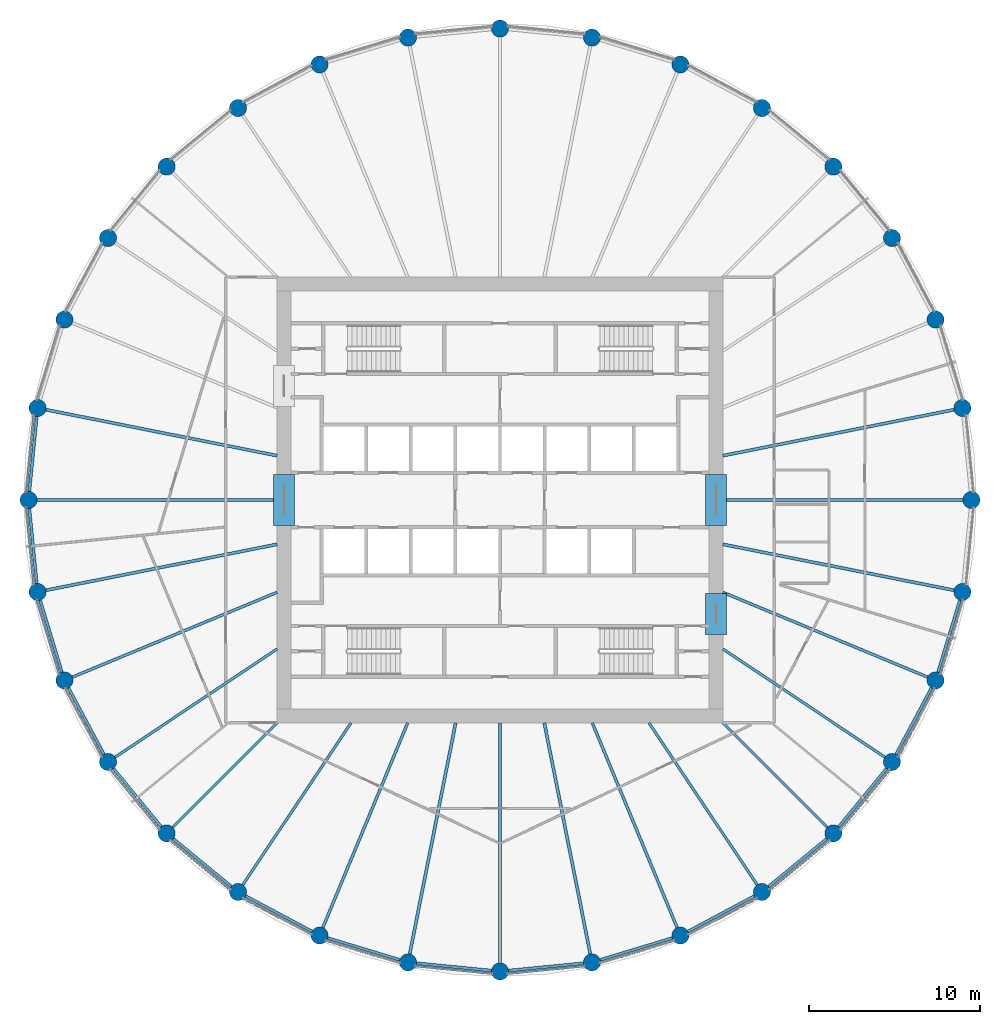
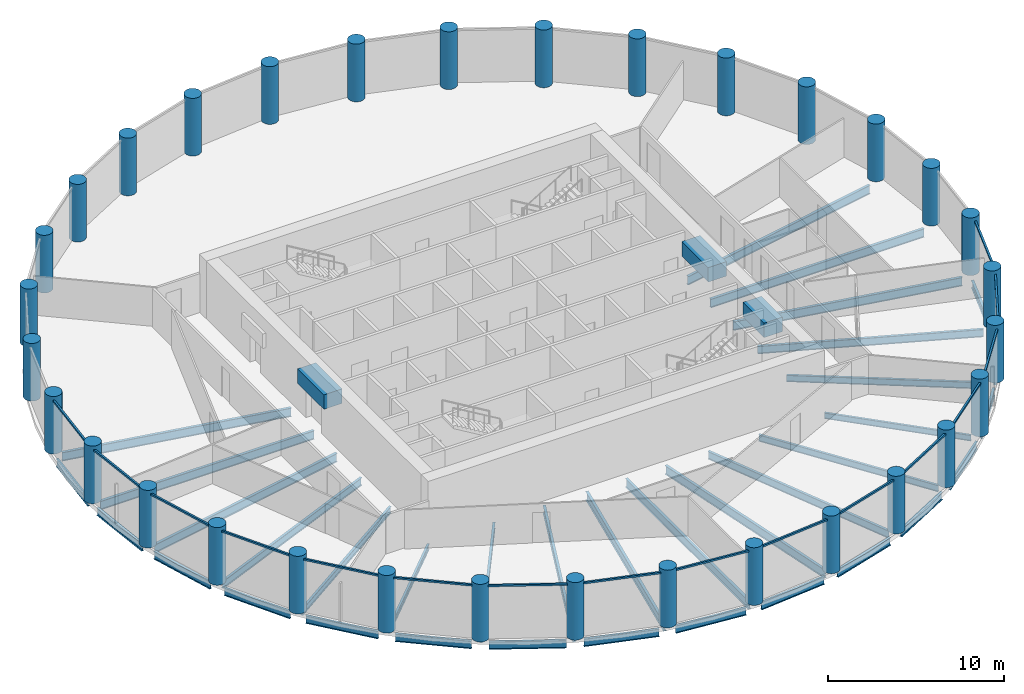
# One storey, part 1 of 8: 38 beams, 32 columns, 16 members, 16 elements without a shape of their own.
"""IFC4 building model written with IfcOpenShell, lengths in metres."""

from ifc_helpers import new_model, si_unit, direction, frame, origin, origin_2d, place, context, subcontext, project, spatial, rectangle, circle, i_section, extrude, material, material_profile, profile_set, type_object, element, aggregate, save


model = new_model("IFC4")

# Units and contexts
model_context = context("Model", 3, precision=1e-05, world=origin(), true_north=direction((0.0, 1.0)))
body_context = subcontext(model_context, "Body", "Model", "MODEL_VIEW")
ifc_project = project(units=[si_unit("LENGTHUNIT", "METRE"), si_unit("AREAUNIT", "SQUARE_METRE"), si_unit("VOLUMEUNIT", "CUBIC_METRE"), si_unit("PLANEANGLEUNIT", "RADIAN"), si_unit("MASSUNIT", "GRAM", prefix="KILO")], contexts=[model_context])

# Site, building, storey
site_placement = place(None, origin())
site = spatial("IfcSite", under=ifc_project, at=site_placement, CompositionType="ELEMENT")
building_placement = place(site_placement, origin())
building = spatial("IfcBuilding", under=site, at=building_placement, Name="Corvane Civic Tower", CompositionType="ELEMENT")
storey_placement = place(building_placement, frame((0.0, 0.0, 245.5)))
storey = spatial("IfcBuildingStorey", under=building, at=storey_placement, Name="L58", CompositionType="ELEMENT", Elevation=245.5)

# Columns
ifc_material_1 = material(Name="Concrete C60/75", Category="concrete")
ifc_material_profile_1 = material_profile(ifc_material_1, circle(Radius=0.5, at=origin_2d()), Name="COLUMN 1000")
ifc_profile_set_1 = profile_set([ifc_material_profile_1], Name="Concrete C60/75")
column_type = type_object("IfcColumnType", Name="RC COLUMN COLUMN 1000", PredefinedType="COLUMN", material=ifc_profile_set_1)
for number, where, z_axis, x_axis, name in (
    (1, (0.0, 27.5, 0.0), (0.0, 0.0, 1.0), (1.0, 0.0, 0.0), "COL-L58-D01"),
    (2, (5.364990234375, 26.9716796875, 0.0), (0.0, 0.0, 1.0), (1.0, 0.0, 0.0), "COL-L58-D02"),
    (3, (10.523681640625, 25.40673828125, 0.0), (0.0, 0.0, 1.0), (1.0, 0.0, 0.0), "COL-L58-D03"),
    (4, (15.278076171875, 22.865478515625, 0.0), (0.0, 0.0, 1.0), (1.0, 0.0, 0.0), "COL-L58-D04"),
    (5, (19.445556640625, 19.445556640625, 0.0), (0.0, 0.0, 1.0), (1.0, 0.0, 0.0), "COL-L58-D05"),
    (6, (22.865478515625, 15.278076171875, 0.0), (0.0, 0.0, 1.0), (1.0, 0.0, 0.0), "COL-L58-D06"),
    (7, (25.40673828125, 10.523681640625, 0.0), (0.0, 0.0, 1.0), (1.0, 0.0, 0.0), "COL-L58-D07"),
    (8, (26.9716796875, 5.364990234375, 0.0), (0.0, 0.0, 1.0), (1.0, 0.0, 0.0), "COL-L58-D08"),
    (9, (27.5, 0.0, 0.0), (0.0, 0.0, 1.0), (1.0, 0.0, 0.0), "COL-L58-D09"),
    (10, (26.9716796875, -5.364990234375, 0.0), (0.0, 0.0, 1.0), (1.0, 0.0, 0.0), "COL-L58-D10"),
    (11, (25.40673828125, -10.523681640625, 0.0), (0.0, 0.0, 1.0), (1.0, 0.0, 0.0), "COL-L58-D11"),
    (12, (22.865478515625, -15.278076171875, 0.0), (0.0, 0.0, 1.0), (1.0, 0.0, 0.0), "COL-L58-D12"),
    (13, (19.445556640625, -19.445556640625, 0.0), (0.0, 0.0, 1.0), (1.0, 0.0, 0.0), "COL-L58-D13"),
    (14, (15.278076171875, -22.865478515625, 0.0), (0.0, 0.0, 1.0), (1.0, 0.0, 0.0), "COL-L58-D14"),
    (15, (10.523681640625, -25.40673828125, 0.0), (0.0, 0.0, 1.0), (1.0, 0.0, 0.0), "COL-L58-D15"),
    (16, (5.364990234375, -26.9716796875, 0.0), (0.0, 0.0, 1.0), (1.0, 0.0, 0.0), "COL-L58-D16"),
    (17, (0.0, -27.5, 0.0), (0.0, 0.0, 1.0), (1.0, 0.0, 0.0), "COL-L58-D17"),
    (18, (-5.364990234375, -26.9716796875, 0.0), (0.0, 0.0, 1.0), (1.0, 0.0, 0.0), "COL-L58-D18"),
    (19, (-10.523681640625, -25.40673828125, 0.0), (0.0, 0.0, 1.0), (1.0, 0.0, 0.0), "COL-L58-D19"),
    (20, (-15.278076171875, -22.865478515625, 0.0), (0.0, 0.0, 1.0), (1.0, 0.0, 0.0), "COL-L58-D20"),
    (21, (-19.445556640625, -19.445556640625, 0.0), (0.0, 0.0, 1.0), (1.0, 0.0, 0.0), "COL-L58-D21"),
    (22, (-22.865478515625, -15.278076171875, 0.0), (0.0, 0.0, 1.0), (1.0, 0.0, 0.0), "COL-L58-D22"),
    (23, (-25.40673828125, -10.523681640625, 0.0), (0.0, 0.0, 1.0), (1.0, 0.0, 0.0), "COL-L58-D23"),
    (24, (-26.9716796875, -5.364990234375, 0.0), (0.0, 0.0, 1.0), (1.0, 0.0, 0.0), "COL-L58-D24"),
    (25, (-27.5, 0.0, 0.0), (0.0, 0.0, 1.0), (1.0, 0.0, 0.0), "COL-L58-D25"),
    (26, (-26.9716796875, 5.364990234375, 0.0), (0.0, 0.0, 1.0), (1.0, 0.0, 0.0), "COL-L58-D26"),
    (27, (-25.40673828125, 10.523681640625, 0.0), (0.0, 0.0, 1.0), (1.0, 0.0, 0.0), "COL-L58-D27"),
    (28, (-22.865478515625, 15.278076171875, 0.0), (0.0, 0.0, 1.0), (1.0, 0.0, 0.0), "COL-L58-D28"),
    (29, (-19.445556640625, 19.445556640625, 0.0), (0.0, 0.0, 1.0), (1.0, 0.0, 0.0), "COL-L58-D29"),
    (30, (-15.278076171875, 22.865478515625, 0.0), (0.0, 0.0, 1.0), (1.0, 0.0, 0.0), "COL-L58-D30"),
    (31, (-10.523681640625, 25.40673828125, 0.0), (0.0, 0.0, 1.0), (1.0, 0.0, 0.0), "COL-L58-D31"),
    (32, (-5.364990234375, 26.9716796875, 0.0), (0.0, 0.0, 1.0), (1.0, 0.0, 0.0), "COL-L58-D32"),
):
    element("IfcColumn", number, at=place(storey_placement, frame(where, z_axis=z_axis, x_axis=x_axis)), inside=storey, type_object=column_type, Name=name, PredefinedType="COLUMN", context=body_context, shape_type="SweptSolid", body=[
        extrude(circle(Radius=0.5, at=origin_2d()), origin(), (0.0, 0.0, 1.0), 4.0),
    ])

# Beams
ifc_material_2 = material(Name="Concrete C50/60", Category="concrete")
ifc_material_profile_2 = material_profile(ifc_material_2, rectangle(XDim=1.199951171875, YDim=1.0, at=origin_2d()), Name="COUPLING BEAM 1200X1000")
ifc_profile_set_2 = profile_set([ifc_material_profile_2], Name="Concrete C50/60")
beam_type_1 = type_object("IfcBeamType", Name="COUPLING BEAM COUPLING BEAM 1200X1000", PredefinedType="BEAM", material=ifc_profile_set_2)
for number, where, z_axis, x_axis, name in (
    (33, (-12.60009765625, -1.5, 2.60009765625), (0.0, 1.0, 0.0), (-1.0, 0.0, 0.0), "BM-L58-cpl-CW-LW"),
    (34, (12.60009765625, -1.5, 2.60009765625), (0.0, 1.0, 0.0), (-1.0, 0.0, 0.0), "BM-L58-cpl-CW-LE"),
):
    element("IfcBeam", number, at=place(storey_placement, frame(where, z_axis=z_axis, x_axis=x_axis)), inside=storey, type_object=beam_type_1, Name=name, PredefinedType="BEAM", context=body_context, shape_type="SweptSolid", body=[
        extrude(rectangle(XDim=1.199951171875, YDim=1.0, at=origin_2d()), origin(), (0.0, 0.0, 1.0), 3.0),
    ])
beam_1_placement = place(storey_placement, frame((12.60009765625, -7.85009765625, 2.60009765625), z_axis=(0.0, 1.0, 0.0), x_axis=(-1.0, 0.0, 0.0)))
element("IfcBeam", 35, at=beam_1_placement, inside=storey, type_object=beam_type_1, Name="BM-L58-cpl-CW-ES", PredefinedType="BEAM", context=body_context, shape_type="SweptSolid", body=[
    extrude(rectangle(XDim=1.199951171875, YDim=1.0, at=origin_2d()), origin(), (0.0, 0.0, 1.0), 2.400146484375),
])
ifc_material_3 = material(Name="Steel ASTM A992 Gr 50", Category="steel")
ifc_material_profile_3 = material_profile(ifc_material_3, i_section(OverallWidth=0.165771484375, OverallDepth=0.5283203125, WebThickness=0.009765625, FlangeThickness=0.013671875, at=origin_2d()), Name="W21X50")
ifc_profile_set_3 = profile_set([ifc_material_profile_3], Name="Steel ASTM A992 Gr 50")
beam_type_2 = type_object("IfcBeamType", Name="EDGE BEAM W21X50", PredefinedType="BEAM", material=ifc_profile_set_3)
beam_2_placement = place(storey_placement, frame((26.826416015625, -5.843505859375, -0.564208984375), z_axis=(-0.290254307888, -0.956949547653, 0.0), x_axis=(0.956949547653, -0.290254307888, 0.0)))
element("IfcBeam", 36, at=beam_2_placement, inside=storey, type_object=beam_type_2, Name="BM-L58-E10", PredefinedType="BEAM", context=body_context, shape_type="SweptSolid", body=[
    extrude(i_section(OverallWidth=0.165771484375, OverallDepth=0.5283203125, WebThickness=0.009765625, FlangeThickness=0.013671875, at=origin_2d()), origin(), (0.0, 0.0, 1.0), 4.390625),
])
for number, where, z_axis, x_axis, name in (
    (37, (25.171142578125, -10.964599609375, -0.564208984375), (-0.471422006704, -0.881907756852, 0.0), (0.881907756852, -0.471422006704, 0.0), "BM-L58-E11"),
    (38, (22.54833984375, -15.66455078125, -0.564208984375), (-0.634369433447, -0.773030026524, 0.0), (0.773030026524, -0.634369433447, 0.0), "BM-L58-E12"),
    (39, (19.05908203125, -19.7626953125, -0.564208984375), (-0.773030026524, -0.634369433447, 0.0), (0.634369433447, -0.773030026524, 0.0), "BM-L58-E13"),
    (40, (14.837158203125, -23.10107421875, -0.564208984375), (-0.881907756852, -0.471422006704, 0.0), (0.471422006704, -0.881907756852, 0.0), "BM-L58-E14"),
):
    element("IfcBeam", number, at=place(storey_placement, frame(where, z_axis=z_axis, x_axis=x_axis)), inside=storey, type_object=beam_type_2, Name=name, PredefinedType="BEAM", context=body_context, shape_type="SweptSolid", body=[
        extrude(i_section(OverallWidth=0.165771484375, OverallDepth=0.5283203125, WebThickness=0.009765625, FlangeThickness=0.013671875, at=origin_2d()), origin(), (0.0, 0.0, 1.0), 4.39111328125),
    ])
beam_3_placement = place(storey_placement, frame((10.045166015625, -25.552001953125, -0.564208984375), z_axis=(-0.956949547653, -0.290254307888, 0.0), x_axis=(0.290254307888, -0.956949547653, 0.0)))
element("IfcBeam", 41, at=beam_3_placement, inside=storey, type_object=beam_type_2, Name="BM-L58-E15", PredefinedType="BEAM", context=body_context, shape_type="SweptSolid", body=[
    extrude(i_section(OverallWidth=0.165771484375, OverallDepth=0.5283203125, WebThickness=0.009765625, FlangeThickness=0.013671875, at=origin_2d()), origin(), (0.0, 0.0, 1.0), 4.390625),
])
for number, where, z_axis, x_axis, name in (
    (42, (4.867431640625, -27.020751953125, -0.564208984375), (-0.995189593769, -0.097967711281, 0.0), (0.097967711281, -0.995189593769, 0.0), "BM-L58-E16"),
    (43, (-0.49755859375, -27.450927734375, -0.564208984375), (-0.995189593769, 0.097967711281, 0.0), (-0.097967711281, -0.995189593769, 0.0), "BM-L58-E17"),
):
    element("IfcBeam", number, at=place(storey_placement, frame(where, z_axis=z_axis, x_axis=x_axis)), inside=storey, type_object=beam_type_2, Name=name, PredefinedType="BEAM", context=body_context, shape_type="SweptSolid", body=[
        extrude(i_section(OverallWidth=0.165771484375, OverallDepth=0.5283203125, WebThickness=0.009765625, FlangeThickness=0.013671875, at=origin_2d()), origin(), (0.0, 0.0, 1.0), 4.39111328125),
    ])
beam_4_placement = place(storey_placement, frame((-5.843505859375, -26.826416015625, -0.564208984375), z_axis=(-0.956949547653, 0.290254307888, 0.0), x_axis=(-0.290254307888, -0.956949547653, 0.0)))
element("IfcBeam", 44, at=beam_4_placement, inside=storey, type_object=beam_type_2, Name="BM-L58-E18", PredefinedType="BEAM", context=body_context, shape_type="SweptSolid", body=[
    extrude(i_section(OverallWidth=0.165771484375, OverallDepth=0.5283203125, WebThickness=0.009765625, FlangeThickness=0.013671875, at=origin_2d()), origin(), (0.0, 0.0, 1.0), 4.390625),
])
for number, where, z_axis, x_axis, name in (
    (45, (-10.964599609375, -25.171142578125, -0.564208984375), (-0.881907756852, 0.471422006704, 0.0), (-0.471422006704, -0.881907756852, 0.0), "BM-L58-E19"),
    (46, (-15.66455078125, -22.54833984375, -0.564208984375), (-0.773030026524, 0.634369433447, 0.0), (-0.634369433447, -0.773030026524, 0.0), "BM-L58-E20"),
    (47, (-19.7626953125, -19.05908203125, -0.564208984375), (-0.634369433447, 0.773030026524, 0.0), (-0.773030026524, -0.634369433447, 0.0), "BM-L58-E21"),
    (48, (-23.10107421875, -14.837158203125, -0.564208984375), (-0.471422006704, 0.881907756852, 0.0), (-0.881907756852, -0.471422006704, 0.0), "BM-L58-E22"),
):
    element("IfcBeam", number, at=place(storey_placement, frame(where, z_axis=z_axis, x_axis=x_axis)), inside=storey, type_object=beam_type_2, Name=name, PredefinedType="BEAM", context=body_context, shape_type="SweptSolid", body=[
        extrude(i_section(OverallWidth=0.165771484375, OverallDepth=0.5283203125, WebThickness=0.009765625, FlangeThickness=0.013671875, at=origin_2d()), origin(), (0.0, 0.0, 1.0), 4.39111328125),
    ])
beam_5_placement = place(storey_placement, frame((-25.552001953125, -10.045166015625, -0.564208984375), z_axis=(-0.290254307888, 0.956949547653, 0.0), x_axis=(-0.956949547653, -0.290254307888, 0.0)))
element("IfcBeam", 49, at=beam_5_placement, inside=storey, type_object=beam_type_2, Name="BM-L58-E23", PredefinedType="BEAM", context=body_context, shape_type="SweptSolid", body=[
    extrude(i_section(OverallWidth=0.165771484375, OverallDepth=0.5283203125, WebThickness=0.009765625, FlangeThickness=0.013671875, at=origin_2d()), origin(), (0.0, 0.0, 1.0), 4.390625),
])
for number, where, z_axis, x_axis, name in (
    (50, (-27.020751953125, -4.867431640625, -0.564208984375), (-0.097967711281, 0.995189593769, 0.0), (-0.995189593769, -0.097967711281, 0.0), "BM-L58-E24"),
    (51, (-27.450927734375, 0.49755859375, -0.564208984375), (0.097967711281, 0.995189593769, 0.0), (-0.995189593769, 0.097967711281, 0.0), "BM-L58-E25"),
):
    element("IfcBeam", number, at=place(storey_placement, frame(where, z_axis=z_axis, x_axis=x_axis)), inside=storey, type_object=beam_type_2, Name=name, PredefinedType="BEAM", context=body_context, shape_type="SweptSolid", body=[
        extrude(i_section(OverallWidth=0.165771484375, OverallDepth=0.5283203125, WebThickness=0.009765625, FlangeThickness=0.013671875, at=origin_2d()), origin(), (0.0, 0.0, 1.0), 4.39111328125),
    ])
ifc_material_4 = material(Name="Steel ASTM A992 Gr 50", Category="steel")
ifc_material_profile_4 = material_profile(ifc_material_4, i_section(OverallWidth=0.140380859375, OverallDepth=0.40380859375, WebThickness=0.007080078125, FlangeThickness=0.01123046875, at=origin_2d()), Name="W16X31")
ifc_profile_set_4 = profile_set([ifc_material_profile_4], Name="Steel ASTM A992 Gr 50")
beam_type_3 = type_object("IfcBeamType", Name="FLOOR GIRDER W16X31", PredefinedType="BEAM", material=ifc_profile_set_4)
for number, where, z_axis, x_axis, name in (
    (52, (13.0, -13.0, -0.501953125), (0.707106781187, -0.707106781187, 0.0), (0.707106781187, 0.707106781187, 0.0), "BM-L58-G13"),
    (53, (-13.0, -13.0, -0.501953125), (-0.707106781187, -0.707106781187, 0.0), (0.707106781187, -0.707106781187, 0.0), "BM-L58-G21"),
):
    element("IfcBeam", number, at=place(storey_placement, frame(where, z_axis=z_axis, x_axis=x_axis)), inside=storey, type_object=beam_type_3, Name=name, PredefinedType="BEAM", context=body_context, shape_type="SweptSolid", body=[
        extrude(i_section(OverallWidth=0.140380859375, OverallDepth=0.40380859375, WebThickness=0.007080078125, FlangeThickness=0.01123046875, at=origin_2d()), origin(), (0.0, 0.0, 1.0), 8.614990234375),
    ])
ifc_material_5 = material(Name="Steel ASTM A992 Gr 50", Category="steel")
ifc_material_profile_5 = material_profile(ifc_material_5, i_section(OverallWidth=0.15283203125, OverallDepth=0.45458984375, WebThickness=0.008056640625, FlangeThickness=0.013427734375, at=origin_2d()), Name="W18X40")
ifc_profile_set_5 = profile_set([ifc_material_profile_5], Name="Steel ASTM A992 Gr 50")
beam_type_4 = type_object("IfcBeamType", Name="FLOOR GIRDER W18X40", PredefinedType="BEAM", material=ifc_profile_set_5)
for number, where, z_axis, x_axis, name in (
    (54, (13.0, -8.686279296875, -0.52734375), (0.831464872557, -0.555577326485, 0.0), (0.555577326485, 0.831464872557, 0.0), "BM-L58-G12"),
    (55, (8.686279296875, -13.0, -0.52734375), (0.555577326485, -0.831464872557, 0.0), (0.831464872557, 0.555577326485, 0.0), "BM-L58-G14"),
    (56, (-8.686279296875, -13.0, -0.52734375), (-0.555577326485, -0.831464872557, 0.0), (0.831464872557, -0.555577326485, 0.0), "BM-L58-G20"),
    (57, (-13.0, -8.686279296875, -0.52734375), (-0.831464872557, -0.555577326485, 0.0), (0.555577326485, -0.831464872557, 0.0), "BM-L58-G22"),
):
    element("IfcBeam", number, at=place(storey_placement, frame(where, z_axis=z_axis, x_axis=x_axis)), inside=storey, type_object=beam_type_4, Name=name, PredefinedType="BEAM", context=body_context, shape_type="SweptSolid", body=[
        extrude(i_section(OverallWidth=0.15283203125, OverallDepth=0.45458984375, WebThickness=0.008056640625, FlangeThickness=0.013427734375, at=origin_2d()), origin(), (0.0, 0.0, 1.0), 11.365234375),
    ])
ifc_material_6 = material(Name="Steel ASTM A992 Gr 50", Category="steel")
ifc_material_profile_6 = material_profile(ifc_material_6, i_section(OverallWidth=0.165771484375, OverallDepth=0.5283203125, WebThickness=0.009765625, FlangeThickness=0.013671875, at=origin_2d()), Name="W21X50")
ifc_profile_set_6 = profile_set([ifc_material_profile_6], Name="Steel ASTM A992 Gr 50")
beam_type_5 = type_object("IfcBeamType", Name="FLOOR GIRDER W21X50", PredefinedType="BEAM", material=ifc_profile_set_6)
for number, where, z_axis, x_axis, name in (
    (58, (13.0, -5.384765625, -0.564208984375), (0.923878282404, -0.382686450378, 0.0), (0.382686450378, 0.923878282404, 0.0), "BM-L58-G11"),
    (59, (5.384765625, -13.0, -0.564208984375), (0.382686450378, -0.923878282404, 0.0), (0.923878282404, 0.382686450378, 0.0), "BM-L58-G15"),
    (60, (-5.384765625, -13.0, -0.564208984375), (-0.382686450378, -0.923878282404, 0.0), (0.923878282404, -0.382686450378, 0.0), "BM-L58-G19"),
    (61, (-13.0, -5.384765625, -0.564208984375), (-0.923878282404, -0.382686450378, 0.0), (0.382686450378, -0.923878282404, 0.0), "BM-L58-G23"),
):
    element("IfcBeam", number, at=place(storey_placement, frame(where, z_axis=z_axis, x_axis=x_axis)), inside=storey, type_object=beam_type_5, Name=name, PredefinedType="BEAM", context=body_context, shape_type="SweptSolid", body=[
        extrude(i_section(OverallWidth=0.165771484375, OverallDepth=0.5283203125, WebThickness=0.009765625, FlangeThickness=0.013671875, at=origin_2d()), origin(), (0.0, 0.0, 1.0), 12.928955078125),
    ])
ifc_material_7 = material(Name="Steel ASTM A992 Gr 50", Category="steel")
ifc_material_profile_7 = material_profile(ifc_material_7, i_section(OverallWidth=0.177978515625, OverallDepth=0.599365234375, WebThickness=0.010009765625, FlangeThickness=0.012939453125, at=origin_2d()), Name="W24X55")
ifc_profile_set_7 = profile_set([ifc_material_profile_7], Name="Steel ASTM A992 Gr 50")
beam_type_6 = type_object("IfcBeamType", Name="FLOOR GIRDER W24X55", PredefinedType="BEAM", material=ifc_profile_set_7)
beam_6_placement = place(storey_placement, frame((13.0, 2.5859375, -0.599609375), z_axis=(0.980787802109, 0.195077644118, 0.0), x_axis=(-0.195077644118, 0.980787802109, 0.0)))
element("IfcBeam", 62, at=beam_6_placement, inside=storey, type_object=beam_type_6, Name="BM-L58-G08", PredefinedType="BEAM", context=body_context, shape_type="SweptSolid", body=[
    extrude(i_section(OverallWidth=0.177978515625, OverallDepth=0.599365234375, WebThickness=0.010009765625, FlangeThickness=0.012939453125, at=origin_2d()), origin(), (0.0, 0.0, 1.0), 13.745361328125),
])
beam_7_placement = place(storey_placement, frame((13.0, 0.0, -0.599609375), z_axis=(1.0, 0.0, 0.0), x_axis=(0.0, 1.0, 0.0)))
element("IfcBeam", 63, at=beam_7_placement, inside=storey, type_object=beam_type_6, Name="BM-L58-G09", PredefinedType="BEAM", context=body_context, shape_type="SweptSolid", body=[
    extrude(i_section(OverallWidth=0.177978515625, OverallDepth=0.599365234375, WebThickness=0.010009765625, FlangeThickness=0.012939453125, at=origin_2d()), origin(), (0.0, 0.0, 1.0), 14.0),
])
for number, where, z_axis, x_axis, name in (
    (64, (13.0, -2.5859375, -0.599609375), (0.980787802109, -0.195077644118, 0.0), (0.195077644118, 0.980787802109, 0.0), "BM-L58-G10"),
    (65, (2.5859375, -13.0, -0.599609375), (0.195077644118, -0.980787802109, 0.0), (0.980787802109, 0.195077644118, 0.0), "BM-L58-G16"),
):
    element("IfcBeam", number, at=place(storey_placement, frame(where, z_axis=z_axis, x_axis=x_axis)), inside=storey, type_object=beam_type_6, Name=name, PredefinedType="BEAM", context=body_context, shape_type="SweptSolid", body=[
        extrude(i_section(OverallWidth=0.177978515625, OverallDepth=0.599365234375, WebThickness=0.010009765625, FlangeThickness=0.012939453125, at=origin_2d()), origin(), (0.0, 0.0, 1.0), 13.745361328125),
    ])
beam_8_placement = place(storey_placement, frame((0.0, -13.0, -0.599609375), z_axis=(0.0, -1.0, 0.0), x_axis=(1.0, 0.0, 0.0)))
element("IfcBeam", 66, at=beam_8_placement, inside=storey, type_object=beam_type_6, Name="BM-L58-G17", PredefinedType="BEAM", context=body_context, shape_type="SweptSolid", body=[
    extrude(i_section(OverallWidth=0.177978515625, OverallDepth=0.599365234375, WebThickness=0.010009765625, FlangeThickness=0.012939453125, at=origin_2d()), origin(), (0.0, 0.0, 1.0), 14.0),
])
for number, where, z_axis, x_axis, name in (
    (67, (-2.5859375, -13.0, -0.599609375), (-0.195077644118, -0.980787802109, 0.0), (0.980787802109, -0.195077644118, 0.0), "BM-L58-G18"),
    (68, (-13.0, -2.5859375, -0.599609375), (-0.980787802109, -0.195077644118, 0.0), (0.195077644118, -0.980787802109, 0.0), "BM-L58-G24"),
):
    element("IfcBeam", number, at=place(storey_placement, frame(where, z_axis=z_axis, x_axis=x_axis)), inside=storey, type_object=beam_type_6, Name=name, PredefinedType="BEAM", context=body_context, shape_type="SweptSolid", body=[
        extrude(i_section(OverallWidth=0.177978515625, OverallDepth=0.599365234375, WebThickness=0.010009765625, FlangeThickness=0.012939453125, at=origin_2d()), origin(), (0.0, 0.0, 1.0), 13.745361328125),
    ])
beam_9_placement = place(storey_placement, frame((-13.0, 0.0, -0.599609375), z_axis=(-1.0, 0.0, 0.0), x_axis=(0.0, -1.0, 0.0)))
element("IfcBeam", 69, at=beam_9_placement, inside=storey, type_object=beam_type_6, Name="BM-L58-G25", PredefinedType="BEAM", context=body_context, shape_type="SweptSolid", body=[
    extrude(i_section(OverallWidth=0.177978515625, OverallDepth=0.599365234375, WebThickness=0.010009765625, FlangeThickness=0.012939453125, at=origin_2d()), origin(), (0.0, 0.0, 1.0), 14.0),
])
beam_10_placement = place(storey_placement, frame((-13.0, 2.5859375, -0.599609375), z_axis=(-0.980787802109, 0.195077644118, 0.0), x_axis=(-0.195077644118, -0.980787802109, 0.0)))
element("IfcBeam", 70, at=beam_10_placement, inside=storey, type_object=beam_type_6, Name="BM-L58-G26", PredefinedType="BEAM", context=body_context, shape_type="SweptSolid", body=[
    extrude(i_section(OverallWidth=0.177978515625, OverallDepth=0.599365234375, WebThickness=0.010009765625, FlangeThickness=0.012939453125, at=origin_2d()), origin(), (0.0, 0.0, 1.0), 13.745361328125),
])

# Curtain wall, member
ifc_material_8 = material(Name="Anodised aluminium bronze", Category="aluminium")
curtain_wall_type = type_object("IfcCurtainWallType", Name="TOWER CW-T2 STICK CURTAIN WALL", PredefinedType="NOTDEFINED", material=ifc_material_8)
curtain_wall_1_placement = place(storey_placement, origin())
curtain_wall_1 = element("IfcCurtainWall", 71, at=curtain_wall_1_placement, inside=storey, type_object=curtain_wall_type, Name="Curtain wall CW-T2 L58 bay 10", PredefinedType="NOTDEFINED")
ifc_material_9 = material(Name="Anodised aluminium bronze", Category="aluminium")
ifc_material_profile_8 = material_profile(ifc_material_9, rectangle(XDim=0.1201171875, YDim=0.1201171875, at=origin_2d()), Name="TOWER CW-T2 TRANSOM 120x120")
ifc_profile_set_8 = profile_set([ifc_material_profile_8], Name="Anodised aluminium bronze")
member_type = type_object("IfcMemberType", Name="TOWER CW-T2 TRANSOM 120x120", PredefinedType="USERDEFINED", material=ifc_profile_set_8)
member_1_placement = place(storey_placement, frame((27.016357421875, -5.8349609375, 3.68994140625), z_axis=(-0.2902818869, -0.956941182173, 0.0), x_axis=(0.956941182173, -0.2902818869, 0.0)))
member_1 = element("IfcMember", 72, at=member_1_placement, type_object=member_type, Name="Transom CW-T2 L58 10.1", ObjectType="TRANSOM", PredefinedType="USERDEFINED", context=body_context, shape_type="SweptSolid", body=[
    extrude(rectangle(XDim=0.1201171875, YDim=0.1201171875, at=origin_2d()), origin(), (0.0, 0.0, 1.0), 4.517333984375),
])
aggregate(curtain_wall_1, [member_1])

curtain_wall_2_placement = place(storey_placement, origin())
curtain_wall_2 = element("IfcCurtainWall", 73, at=curtain_wall_2_placement, inside=storey, type_object=curtain_wall_type, Name="Curtain wall CW-T2 L58 bay 11", PredefinedType="NOTDEFINED")
member_2_placement = place(storey_placement, frame((25.35888671875, -10.993408203125, 3.68994140625), z_axis=(-0.471390317183, -0.881924695689, 0.0), x_axis=(0.881924695689, -0.471390317183, 0.0)))
member_2 = element("IfcMember", 74, at=member_2_placement, type_object=member_type, Name="Transom CW-T2 L58 11.1", ObjectType="TRANSOM", PredefinedType="USERDEFINED", context=body_context, shape_type="SweptSolid", body=[
    extrude(rectangle(XDim=0.1201171875, YDim=0.1201171875, at=origin_2d()), origin(), (0.0, 0.0, 1.0), 4.517333984375),
])
aggregate(curtain_wall_2, [member_2])

curtain_wall_3_placement = place(storey_placement, origin())
curtain_wall_3 = element("IfcCurtainWall", 75, at=curtain_wall_3_placement, inside=storey, type_object=curtain_wall_type, Name="Curtain wall CW-T2 L58 bay 12", PredefinedType="NOTDEFINED")
member_3_placement = place(storey_placement, frame((22.726806640625, -15.7294921875, 3.68994140625), z_axis=(-0.634387834569, -0.773014925698, 0.0), x_axis=(0.773014925698, -0.634387834569, 0.0)))
member_3 = element("IfcMember", 76, at=member_3_placement, type_object=member_type, Name="Transom CW-T2 L58 12.1", ObjectType="TRANSOM", PredefinedType="USERDEFINED", context=body_context, shape_type="SweptSolid", body=[
    extrude(rectangle(XDim=0.1201171875, YDim=0.1201171875, at=origin_2d()), origin(), (0.0, 0.0, 1.0), 4.517333984375),
])
aggregate(curtain_wall_3, [member_3])

curtain_wall_4_placement = place(storey_placement, origin())
curtain_wall_4 = element("IfcCurtainWall", 77, at=curtain_wall_4_placement, inside=storey, type_object=curtain_wall_type, Name="Curtain wall CW-T2 L58 bay 13", PredefinedType="NOTDEFINED")
member_4_placement = place(storey_placement, frame((19.221435546875, -19.861083984375, 3.68994140625), z_axis=(-0.773014925698, -0.634387834569, 0.0), x_axis=(0.634387834569, -0.773014925698, 0.0)))
member_4 = element("IfcMember", 78, at=member_4_placement, type_object=member_type, Name="Transom CW-T2 L58 13.1", ObjectType="TRANSOM", PredefinedType="USERDEFINED", context=body_context, shape_type="SweptSolid", body=[
    extrude(rectangle(XDim=0.1201171875, YDim=0.1201171875, at=origin_2d()), origin(), (0.0, 0.0, 1.0), 4.517333984375),
])
aggregate(curtain_wall_4, [member_4])

curtain_wall_5_placement = place(storey_placement, origin())
curtain_wall_5 = element("IfcCurtainWall", 79, at=curtain_wall_5_placement, inside=storey, type_object=curtain_wall_type, Name="Curtain wall CW-T2 L58 bay 14", PredefinedType="NOTDEFINED")
member_5_placement = place(storey_placement, frame((14.977294921875, -23.2294921875, 3.68994140625), z_axis=(-0.881924695689, -0.471390317183, 0.0), x_axis=(0.471390317183, -0.881924695689, 0.0)))
member_5 = element("IfcMember", 80, at=member_5_placement, type_object=member_type, Name="Transom CW-T2 L58 14.1", ObjectType="TRANSOM", PredefinedType="USERDEFINED", context=body_context, shape_type="SweptSolid", body=[
    extrude(rectangle(XDim=0.1201171875, YDim=0.1201171875, at=origin_2d()), origin(), (0.0, 0.0, 1.0), 4.517333984375),
])
aggregate(curtain_wall_5, [member_5])

curtain_wall_6_placement = place(storey_placement, origin())
curtain_wall_6 = element("IfcCurtainWall", 81, at=curtain_wall_6_placement, inside=storey, type_object=curtain_wall_type, Name="Curtain wall CW-T2 L58 bay 15", PredefinedType="NOTDEFINED")
member_6_placement = place(storey_placement, frame((10.15771484375, -25.705078125, 3.68994140625), z_axis=(-0.956941182173, -0.2902818869, 0.0), x_axis=(0.2902818869, -0.956941182173, 0.0)))
member_6 = element("IfcMember", 82, at=member_6_placement, type_object=member_type, Name="Transom CW-T2 L58 15.1", ObjectType="TRANSOM", PredefinedType="USERDEFINED", context=body_context, shape_type="SweptSolid", body=[
    extrude(rectangle(XDim=0.1201171875, YDim=0.1201171875, at=origin_2d()), origin(), (0.0, 0.0, 1.0), 4.517333984375),
])
aggregate(curtain_wall_6, [member_6])

curtain_wall_7_placement = place(storey_placement, origin())
curtain_wall_7 = element("IfcCurtainWall", 83, at=curtain_wall_7_placement, inside=storey, type_object=curtain_wall_type, Name="Curtain wall CW-T2 L58 bay 16", PredefinedType="NOTDEFINED")
member_7_placement = place(storey_placement, frame((4.94775390625, -27.192626953125, 3.68994140625), z_axis=(-0.995182207386, -0.098042715701, 0.0), x_axis=(0.098042715701, -0.995182207386, 0.0)))
member_7 = element("IfcMember", 84, at=member_7_placement, type_object=member_type, Name="Transom CW-T2 L58 16.1", ObjectType="TRANSOM", PredefinedType="USERDEFINED", context=body_context, shape_type="SweptSolid", body=[
    extrude(rectangle(XDim=0.1201171875, YDim=0.1201171875, at=origin_2d()), origin(), (0.0, 0.0, 1.0), 4.51708984375),
])
aggregate(curtain_wall_7, [member_7])

curtain_wall_8_placement = place(storey_placement, origin())
curtain_wall_8 = element("IfcCurtainWall", 85, at=curtain_wall_8_placement, inside=storey, type_object=curtain_wall_type, Name="Curtain wall CW-T2 L58 bay 17", PredefinedType="NOTDEFINED")
member_8_placement = place(storey_placement, frame((-0.452392578125, -27.635498046875, 3.68994140625), z_axis=(-0.995182207386, 0.098042715701, 0.0), x_axis=(-0.098042715701, -0.995182207386, 0.0)))
member_8 = element("IfcMember", 86, at=member_8_placement, type_object=member_type, Name="Transom CW-T2 L58 17.1", ObjectType="TRANSOM", PredefinedType="USERDEFINED", context=body_context, shape_type="SweptSolid", body=[
    extrude(rectangle(XDim=0.1201171875, YDim=0.1201171875, at=origin_2d()), origin(), (0.0, 0.0, 1.0), 4.51708984375),
])
aggregate(curtain_wall_8, [member_8])

curtain_wall_9_placement = place(storey_placement, origin())
curtain_wall_9 = element("IfcCurtainWall", 87, at=curtain_wall_9_placement, inside=storey, type_object=curtain_wall_type, Name="Curtain wall CW-T2 L58 bay 18", PredefinedType="NOTDEFINED")
member_9_placement = place(storey_placement, frame((-5.8349609375, -27.016357421875, 3.68994140625), z_axis=(-0.956941182173, 0.2902818869, 0.0), x_axis=(-0.2902818869, -0.956941182173, 0.0)))
member_9 = element("IfcMember", 88, at=member_9_placement, type_object=member_type, Name="Transom CW-T2 L58 18.1", ObjectType="TRANSOM", PredefinedType="USERDEFINED", context=body_context, shape_type="SweptSolid", body=[
    extrude(rectangle(XDim=0.1201171875, YDim=0.1201171875, at=origin_2d()), origin(), (0.0, 0.0, 1.0), 4.517333984375),
])
aggregate(curtain_wall_9, [member_9])

curtain_wall_10_placement = place(storey_placement, origin())
curtain_wall_10 = element("IfcCurtainWall", 89, at=curtain_wall_10_placement, inside=storey, type_object=curtain_wall_type, Name="Curtain wall CW-T2 L58 bay 19", PredefinedType="NOTDEFINED")
member_10_placement = place(storey_placement, frame((-10.993408203125, -25.35888671875, 3.68994140625), z_axis=(-0.881924695689, 0.471390317183, 0.0), x_axis=(-0.471390317183, -0.881924695689, 0.0)))
member_10 = element("IfcMember", 90, at=member_10_placement, type_object=member_type, Name="Transom CW-T2 L58 19.1", ObjectType="TRANSOM", PredefinedType="USERDEFINED", context=body_context, shape_type="SweptSolid", body=[
    extrude(rectangle(XDim=0.1201171875, YDim=0.1201171875, at=origin_2d()), origin(), (0.0, 0.0, 1.0), 4.517333984375),
])
aggregate(curtain_wall_10, [member_10])

curtain_wall_11_placement = place(storey_placement, origin())
curtain_wall_11 = element("IfcCurtainWall", 91, at=curtain_wall_11_placement, inside=storey, type_object=curtain_wall_type, Name="Curtain wall CW-T2 L58 bay 20", PredefinedType="NOTDEFINED")
member_11_placement = place(storey_placement, frame((-15.7294921875, -22.726806640625, 3.68994140625), z_axis=(-0.773014925698, 0.634387834569, 0.0), x_axis=(-0.634387834569, -0.773014925698, 0.0)))
member_11 = element("IfcMember", 92, at=member_11_placement, type_object=member_type, Name="Transom CW-T2 L58 20.1", ObjectType="TRANSOM", PredefinedType="USERDEFINED", context=body_context, shape_type="SweptSolid", body=[
    extrude(rectangle(XDim=0.1201171875, YDim=0.1201171875, at=origin_2d()), origin(), (0.0, 0.0, 1.0), 4.517333984375),
])
aggregate(curtain_wall_11, [member_11])

curtain_wall_12_placement = place(storey_placement, origin())
curtain_wall_12 = element("IfcCurtainWall", 93, at=curtain_wall_12_placement, inside=storey, type_object=curtain_wall_type, Name="Curtain wall CW-T2 L58 bay 21", PredefinedType="NOTDEFINED")
member_12_placement = place(storey_placement, frame((-19.861083984375, -19.221435546875, 3.68994140625), z_axis=(-0.634387834569, 0.773014925698, 0.0), x_axis=(-0.773014925698, -0.634387834569, 0.0)))
member_12 = element("IfcMember", 94, at=member_12_placement, type_object=member_type, Name="Transom CW-T2 L58 21.1", ObjectType="TRANSOM", PredefinedType="USERDEFINED", context=body_context, shape_type="SweptSolid", body=[
    extrude(rectangle(XDim=0.1201171875, YDim=0.1201171875, at=origin_2d()), origin(), (0.0, 0.0, 1.0), 4.517333984375),
])
aggregate(curtain_wall_12, [member_12])

curtain_wall_13_placement = place(storey_placement, origin())
curtain_wall_13 = element("IfcCurtainWall", 95, at=curtain_wall_13_placement, inside=storey, type_object=curtain_wall_type, Name="Curtain wall CW-T2 L58 bay 22", PredefinedType="NOTDEFINED")
member_13_placement = place(storey_placement, frame((-23.2294921875, -14.977294921875, 3.68994140625), z_axis=(-0.471390317183, 0.881924695689, 0.0), x_axis=(-0.881924695689, -0.471390317183, 0.0)))
member_13 = element("IfcMember", 96, at=member_13_placement, type_object=member_type, Name="Transom CW-T2 L58 22.1", ObjectType="TRANSOM", PredefinedType="USERDEFINED", context=body_context, shape_type="SweptSolid", body=[
    extrude(rectangle(XDim=0.1201171875, YDim=0.1201171875, at=origin_2d()), origin(), (0.0, 0.0, 1.0), 4.517333984375),
])
aggregate(curtain_wall_13, [member_13])

curtain_wall_14_placement = place(storey_placement, origin())
curtain_wall_14 = element("IfcCurtainWall", 97, at=curtain_wall_14_placement, inside=storey, type_object=curtain_wall_type, Name="Curtain wall CW-T2 L58 bay 23", PredefinedType="NOTDEFINED")
member_14_placement = place(storey_placement, frame((-25.705078125, -10.15771484375, 3.68994140625), z_axis=(-0.2902818869, 0.956941182173, 0.0), x_axis=(-0.956941182173, -0.2902818869, 0.0)))
member_14 = element("IfcMember", 98, at=member_14_placement, type_object=member_type, Name="Transom CW-T2 L58 23.1", ObjectType="TRANSOM", PredefinedType="USERDEFINED", context=body_context, shape_type="SweptSolid", body=[
    extrude(rectangle(XDim=0.1201171875, YDim=0.1201171875, at=origin_2d()), origin(), (0.0, 0.0, 1.0), 4.517333984375),
])
aggregate(curtain_wall_14, [member_14])

curtain_wall_15_placement = place(storey_placement, origin())
curtain_wall_15 = element("IfcCurtainWall", 99, at=curtain_wall_15_placement, inside=storey, type_object=curtain_wall_type, Name="Curtain wall CW-T2 L58 bay 24", PredefinedType="NOTDEFINED")
member_15_placement = place(storey_placement, frame((-27.192626953125, -4.94775390625, 3.68994140625), z_axis=(-0.098042715701, 0.995182207386, 0.0), x_axis=(-0.995182207386, -0.098042715701, 0.0)))
member_15 = element("IfcMember", 100, at=member_15_placement, type_object=member_type, Name="Transom CW-T2 L58 24.1", ObjectType="TRANSOM", PredefinedType="USERDEFINED", context=body_context, shape_type="SweptSolid", body=[
    extrude(rectangle(XDim=0.1201171875, YDim=0.1201171875, at=origin_2d()), origin(), (0.0, 0.0, 1.0), 4.51708984375),
])
aggregate(curtain_wall_15, [member_15])

curtain_wall_16_placement = place(storey_placement, origin())
curtain_wall_16 = element("IfcCurtainWall", 101, at=curtain_wall_16_placement, inside=storey, type_object=curtain_wall_type, Name="Curtain wall CW-T2 L58 bay 25", PredefinedType="NOTDEFINED")
member_16_placement = place(storey_placement, frame((-27.635498046875, 0.452392578125, 3.68994140625), z_axis=(0.098042715701, 0.995182207386, 0.0), x_axis=(-0.995182207386, 0.098042715701, 0.0)))
member_16 = element("IfcMember", 102, at=member_16_placement, type_object=member_type, Name="Transom CW-T2 L58 25.1", ObjectType="TRANSOM", PredefinedType="USERDEFINED", context=body_context, shape_type="SweptSolid", body=[
    extrude(rectangle(XDim=0.1201171875, YDim=0.1201171875, at=origin_2d()), origin(), (0.0, 0.0, 1.0), 4.51708984375),
])
aggregate(curtain_wall_16, [member_16])

save(model, "model.ifc")
